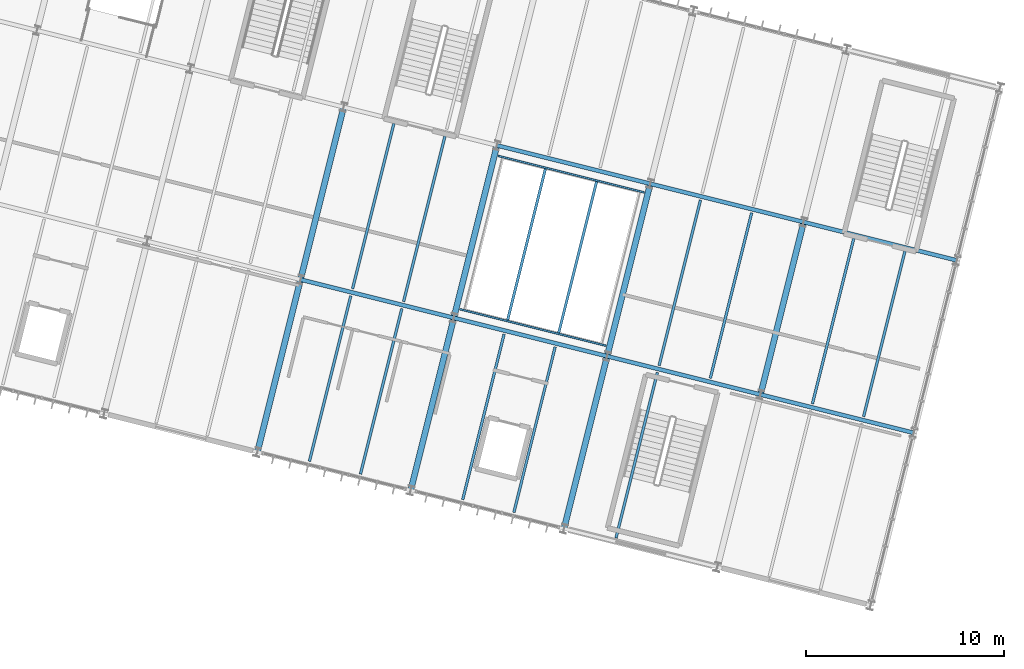
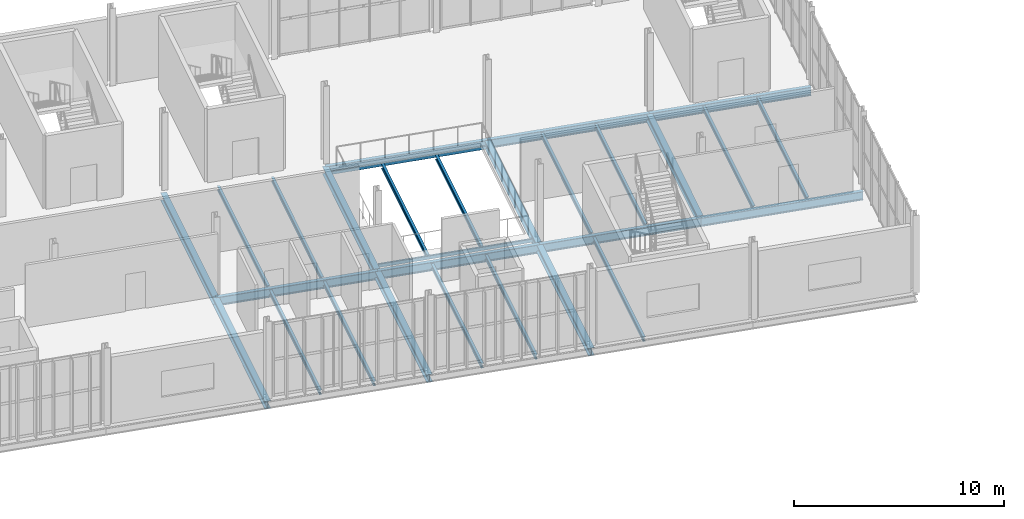
# One storey, part 97 of 152: 29 beams.
"""IFC4 building model written with IfcOpenShell, lengths in metres."""

from ifc_helpers import new_model, si_unit, derived_unit, direction, frame, origin, origin_2d, place, context, subcontext, project, spatial, hollow_rectangle, i_section, extrude, material, material_profile, profile_set, type_object, element, save


model = new_model("IFC4")

# Units and contexts
model_context = context("Model", 3, precision=1e-05, world=origin(), true_north=direction((0.0, 1.0)))
body_context = subcontext(model_context, "Body", "Model", "MODEL_VIEW")
ifc_project = project(units=[si_unit("LENGTHUNIT", "METRE"), si_unit("AREAUNIT", "SQUARE_METRE"), si_unit("VOLUMEUNIT", "CUBIC_METRE"), si_unit("PLANEANGLEUNIT", "RADIAN"), si_unit("MASSUNIT", "GRAM", prefix="KILO"), si_unit("THERMODYNAMICTEMPERATUREUNIT", "KELVIN"), si_unit("TIMEUNIT", "SECOND"), derived_unit("THERMALTRANSMITTANCEUNIT", [(si_unit("MASSUNIT", "GRAM", prefix="KILO"), 1), (si_unit("THERMODYNAMICTEMPERATUREUNIT", "KELVIN"), -1), (si_unit("TIMEUNIT", "SECOND"), -3)])], contexts=[model_context])

# Site, building, storey
site_placement = place(None, origin())
site = spatial("IfcSite", under=ifc_project, at=site_placement, CompositionType="ELEMENT")
building_placement = place(site_placement, origin())
building = spatial("IfcBuilding", under=site, at=building_placement, Name="Cambertide Market Hall", CompositionType="ELEMENT")
storey_placement = place(building_placement, frame((0.0, 0.0, 5.39990234375)))
storey = spatial("IfcBuildingStorey", under=building, at=storey_placement, Name="L02", CompositionType="ELEMENT", Elevation=5.39990234375)

# Beams
ifc_material_1 = material(Name="Steel S355", Category="steel")
ifc_material_profile_1 = material_profile(ifc_material_1, i_section(OverallWidth=0.300048828125, OverallDepth=0.449951171875, WebThickness=0.013916015625, FlangeThickness=0.02587890625, FilletRadius=0.027099609375, at=origin_2d()), Name="HEB 450")
ifc_profile_set_1 = profile_set([ifc_material_profile_1], Name="Steel S355")
beam_type_1 = type_object("IfcBeamType", Name="Steel Girder HEB 450", PredefinedType="BEAM", material=ifc_profile_set_1)
for number, where, z_axis, x_axis, name in (
    (1, (139.044677734375, 92.23876953125, -0.489990234375), (0.242510094215, 0.970148882494, 0.0), (-0.970148882494, 0.242510094215, 0.0), "Level 2 Beam BM-V4V-L02-5-1"),
    (2, (141.227294921875, 100.97021484375, -0.489990234375), (0.242542007841, 0.970140904422, 0.0), (-0.970140904422, 0.242542007841, 0.0), "Level 2 Beam BM-V4V-L02-5-2"),
    (3, (146.8056640625, 90.298583984375, -0.489990234375), (0.242542007841, 0.970140904422, 0.0), (-0.970140904422, 0.242542007841, 0.0), "Level 2 Beam BM-V4V-L02-6-1"),
):
    element("IfcBeam", number, at=place(storey_placement, frame(where, z_axis=z_axis, x_axis=x_axis)), inside=storey, type_object=beam_type_1, Name=name, PredefinedType="BEAM", context=body_context, shape_type="SweptSolid", body=[
        extrude(i_section(OverallWidth=0.300048828125, OverallDepth=0.449951171875, WebThickness=0.013916015625, FlangeThickness=0.02587890625, FilletRadius=0.027099609375, at=origin_2d()), origin(), (0.0, 0.0, 1.0), 9.0),
    ])
beam_1_placement = place(storey_placement, frame((148.988525390625, 99.02978515625, -0.489990234375), z_axis=(0.242535625036, 0.970142500145, 0.0), x_axis=(-0.970142500145, 0.242535625036, 0.0)))
element("IfcBeam", 4, at=beam_1_placement, inside=storey, type_object=beam_type_1, Name="Level 2 Beam BM-V4V-L02-6-2", PredefinedType="BEAM", context=body_context, shape_type="SweptSolid", body=[
    extrude(i_section(OverallWidth=0.300048828125, OverallDepth=0.449951171875, WebThickness=0.013916015625, FlangeThickness=0.02587890625, FilletRadius=0.027099609375, at=origin_2d()), origin(), (0.0, 0.0, 1.0), 9.000244140625),
])
beam_2_placement = place(storey_placement, frame((154.56689453125, 88.3583984375, -0.489990234375), z_axis=(0.242542007841, 0.970140904422, 0.0), x_axis=(-0.970140904422, 0.242542007841, 0.0)))
element("IfcBeam", 5, at=beam_2_placement, inside=storey, type_object=beam_type_1, Name="Level 2 Beam BM-V4V-L02-7-1", PredefinedType="BEAM", context=body_context, shape_type="SweptSolid", body=[
    extrude(i_section(OverallWidth=0.300048828125, OverallDepth=0.449951171875, WebThickness=0.013916015625, FlangeThickness=0.02587890625, FilletRadius=0.027099609375, at=origin_2d()), origin(), (0.0, 0.0, 1.0), 9.0),
])
beam_3_placement = place(storey_placement, frame((156.749755859375, 97.089599609375, -0.489990234375), z_axis=(0.242516476432, 0.970147287096, 0.0), x_axis=(-0.970147287096, 0.242516476432, 0.0)))
element("IfcBeam", 6, at=beam_3_placement, inside=storey, type_object=beam_type_1, Name="Level 2 Beam BM-V4V-L02-7-2", PredefinedType="BEAM", context=body_context, shape_type="SweptSolid", body=[
    extrude(i_section(OverallWidth=0.300048828125, OverallDepth=0.449951171875, WebThickness=0.013916015625, FlangeThickness=0.02587890625, FilletRadius=0.027099609375, at=origin_2d()), origin(), (0.0, 0.0, 1.0), 8.999755859375),
])
beam_4_placement = place(storey_placement, frame((164.5107421875, 95.149169921875, -0.489990234375), z_axis=(0.242535625036, 0.970142500145, 0.0), x_axis=(-0.970142500145, 0.242535625036, 0.0)))
element("IfcBeam", 7, at=beam_4_placement, inside=storey, type_object=beam_type_1, Name="Level 2 Beam BM-V4V-L02-8-2", PredefinedType="BEAM", context=body_context, shape_type="SweptSolid", body=[
    extrude(i_section(OverallWidth=0.300048828125, OverallDepth=0.449951171875, WebThickness=0.013916015625, FlangeThickness=0.02587890625, FilletRadius=0.027099609375, at=origin_2d()), origin(), (0.0, 0.0, 1.0), 9.000244140625),
])
ifc_material_2 = material(Name="Steel S355", Category="steel")
ifc_material_profile_2 = material_profile(ifc_material_2, i_section(OverallWidth=0.199951171875, OverallDepth=0.5, WebThickness=0.01025390625, FlangeThickness=0.01611328125, FilletRadius=0.02099609375, at=origin_2d()), Name="IPE 500")
ifc_profile_set_2 = profile_set([ifc_material_profile_2], Name="Steel S355")
beam_type_2 = type_object("IfcBeamType", Name="Steel Girder IPE 500", PredefinedType="BEAM", material=ifc_profile_set_2)
beam_5_placement = place(storey_placement, frame((141.227294921875, 100.97021484375, -0.514892578125), z_axis=(0.970138909791, -0.242549986002, 0.0), x_axis=(0.242549986002, 0.970138909791, 0.0)))
element("IfcBeam", 8, at=beam_5_placement, inside=storey, type_object=beam_type_2, Name="Level 2 Beam BM-V4U-L02-5-2", PredefinedType="BEAM", context=body_context, shape_type="SweptSolid", body=[
    extrude(i_section(OverallWidth=0.199951171875, OverallDepth=0.5, WebThickness=0.01025390625, FlangeThickness=0.01611328125, FilletRadius=0.02099609375, at=origin_2d()), origin(), (0.0, 0.0, 1.0), 8.000244140625),
])
for number, where, z_axis, x_axis, name in (
    (9, (148.988525390625, 99.02978515625, -0.514892578125), (0.970146090314, -0.242521263911, 0.0), (0.242521263911, 0.970146090314, 0.0), "Level 2 Beam BM-V4U-L02-6-2"),
    (10, (151.17138671875, 107.76123046875, -0.514892578125), (0.970137114374, -0.242557167103, 0.0), (0.242557167103, 0.970137114374, 0.0), "Level 2 Beam BM-V4U-L02-6-3"),
    (11, (156.749755859375, 97.089599609375, -0.514892578125), (0.970137114374, -0.242557167103, 0.0), (0.242557167103, 0.970137114374, 0.0), "Level 2 Beam BM-V4U-L02-7-2"),
    (12, (158.932373046875, 105.82080078125, -0.514892578125), (0.970146090314, -0.242521263911, 0.0), (0.242521263911, 0.970146090314, 0.0), "Level 2 Beam BM-V4U-L02-7-3"),
    (13, (164.5107421875, 95.149169921875, -0.514892578125), (0.970146090314, -0.242521263911, 0.0), (0.242521263911, 0.970146090314, 0.0), "Level 2 Beam BM-V4U-L02-8-2"),
):
    element("IfcBeam", number, at=place(storey_placement, frame(where, z_axis=z_axis, x_axis=x_axis)), inside=storey, type_object=beam_type_2, Name=name, PredefinedType="BEAM", context=body_context, shape_type="SweptSolid", body=[
        extrude(i_section(OverallWidth=0.199951171875, OverallDepth=0.5, WebThickness=0.01025390625, FlangeThickness=0.01611328125, FilletRadius=0.02099609375, at=origin_2d()), origin(), (0.0, 0.0, 1.0), 8.0),
    ])
beam_6_placement = place(storey_placement, frame((166.693603515625, 103.880615234375, -0.514892578125), z_axis=(0.970138909791, -0.242549986002, 0.0), x_axis=(0.242549986002, 0.970138909791, 0.0)))
element("IfcBeam", 14, at=beam_6_placement, inside=storey, type_object=beam_type_2, Name="Level 2 Beam BM-V4U-L02-8-3", PredefinedType="BEAM", context=body_context, shape_type="SweptSolid", body=[
    extrude(i_section(OverallWidth=0.199951171875, OverallDepth=0.5, WebThickness=0.01025390625, FlangeThickness=0.01611328125, FilletRadius=0.02099609375, at=origin_2d()), origin(), (0.0, 0.0, 1.0), 8.000244140625),
])
ifc_material_3 = material(Name="Steel S275", Category="steel")
ifc_material_profile_3 = material_profile(ifc_material_3, i_section(OverallWidth=0.135009765625, OverallDepth=0.27001953125, WebThickness=0.006591796875, FlangeThickness=0.01025390625, FilletRadius=0.014892578125, at=origin_2d()), Name="IPE 270")
ifc_profile_set_3 = profile_set([ifc_material_profile_3], Name="Steel S275")
beam_type_3 = type_object("IfcBeamType", Name="Steel Secondary Joist IPE 270", PredefinedType="JOIST", material=ifc_profile_set_3)
beam_7_placement = place(storey_placement, frame((141.67529296875, 91.766845703125, -0.39990234375), z_axis=(0.242535625036, 0.970142500145, 0.0), x_axis=(-0.970142500145, 0.242535625036, 0.0)))
element("IfcBeam", 15, at=beam_7_placement, inside=storey, type_object=beam_type_3, Name="Level 2 Joist JS-V4-L02-5-1-1", PredefinedType="JOIST", context=body_context, shape_type="SweptSolid", body=[
    extrude(i_section(OverallWidth=0.135009765625, OverallDepth=0.27001953125, WebThickness=0.006591796875, FlangeThickness=0.01025390625, FilletRadius=0.014892578125, at=origin_2d()), origin(), (0.0, 0.0, 1.0), 8.639892578125),
])
for number, where, z_axis, x_axis, name in (
    (16, (144.26220703125, 91.119873046875, -0.39990234375), (0.242555570896, 0.970137513463, 0.0), (-0.970137513463, 0.242555570896, 0.0), "Level 2 Joist JS-V4-L02-5-1-2"),
    (17, (143.858154296875, 100.498046875, -0.39990234375), (0.242528976348, 0.970144162293, 0.0), (-0.970144162293, 0.242528976348, 0.0), "Level 2 Joist JS-V4-L02-5-2-1"),
):
    element("IfcBeam", number, at=place(storey_placement, frame(where, z_axis=z_axis, x_axis=x_axis)), inside=storey, type_object=beam_type_3, Name=name, PredefinedType="JOIST", context=body_context, shape_type="SweptSolid", body=[
        extrude(i_section(OverallWidth=0.135009765625, OverallDepth=0.27001953125, WebThickness=0.006591796875, FlangeThickness=0.01025390625, FilletRadius=0.014892578125, at=origin_2d()), origin(), (0.0, 0.0, 1.0), 8.64013671875),
    ])
beam_8_placement = place(storey_placement, frame((146.445068359375, 99.851318359375, -0.39990234375), z_axis=(0.242535625036, 0.970142500145, 0.0), x_axis=(-0.970142500145, 0.242535625036, 0.0)))
element("IfcBeam", 18, at=beam_8_placement, inside=storey, type_object=beam_type_3, Name="Level 2 Joist JS-V4-L02-5-2-2", PredefinedType="JOIST", context=body_context, shape_type="SweptSolid", body=[
    extrude(i_section(OverallWidth=0.135009765625, OverallDepth=0.27001953125, WebThickness=0.006591796875, FlangeThickness=0.01025390625, FilletRadius=0.014892578125, at=origin_2d()), origin(), (0.0, 0.0, 1.0), 8.639892578125),
])
for number, where, z_axis, x_axis, name in (
    (19, (149.4365234375, 89.826416015625, -0.39990234375), (0.242528976348, 0.970144162293, 0.0), (-0.970144162293, 0.242528976348, 0.0), "Level 2 Joist JS-V4-L02-6-1-1"),
    (20, (152.0234375, 89.1796875, -0.39990234375), (0.242528976348, 0.970144162293, 0.0), (-0.970144162293, 0.242528976348, 0.0), "Level 2 Joist JS-V4-L02-6-1-2"),
):
    element("IfcBeam", number, at=place(storey_placement, frame(where, z_axis=z_axis, x_axis=x_axis)), inside=storey, type_object=beam_type_3, Name=name, PredefinedType="JOIST", context=body_context, shape_type="SweptSolid", body=[
        extrude(i_section(OverallWidth=0.135009765625, OverallDepth=0.27001953125, WebThickness=0.006591796875, FlangeThickness=0.01025390625, FilletRadius=0.014892578125, at=origin_2d()), origin(), (0.0, 0.0, 1.0), 8.64013671875),
    ])
beam_9_placement = place(storey_placement, frame((151.710205078125, 98.921630859375, -0.39990234375), z_axis=(0.242535625036, 0.970142500145, 0.0), x_axis=(-0.970142500145, 0.242535625036, 0.0)))
element("IfcBeam", 21, at=beam_9_placement, inside=storey, type_object=beam_type_3, Name="Level 2 Joist JS-V4-L02-6-2-1", PredefinedType="JOIST", context=body_context, shape_type="SweptSolid", body=[
    extrude(i_section(OverallWidth=0.135009765625, OverallDepth=0.27001953125, WebThickness=0.006591796875, FlangeThickness=0.01025390625, FilletRadius=0.014892578125, at=origin_2d()), origin(), (0.0, 0.0, 1.0), 7.889892578125),
])
beam_10_placement = place(storey_placement, frame((154.297119140625, 98.274658203125, -0.39990234375), z_axis=(0.242557466668, 0.970137039476, 0.0), x_axis=(-0.970137039476, 0.242557466668, 0.0)))
element("IfcBeam", 22, at=beam_10_placement, inside=storey, type_object=beam_type_3, Name="Level 2 Joist JS-V4-L02-6-2-2", PredefinedType="JOIST", context=body_context, shape_type="SweptSolid", body=[
    extrude(i_section(OverallWidth=0.135009765625, OverallDepth=0.27001953125, WebThickness=0.006591796875, FlangeThickness=0.01025390625, FilletRadius=0.014892578125, at=origin_2d()), origin(), (0.0, 0.0, 1.0), 7.89013671875),
])
beam_11_placement = place(storey_placement, frame((157.197509765625, 87.88623046875, -0.39990234375), z_axis=(0.242535625036, 0.970142500145, 0.0), x_axis=(-0.970142500145, 0.242535625036, 0.0)))
element("IfcBeam", 23, at=beam_11_placement, inside=storey, type_object=beam_type_3, Name="Level 2 Joist JS-V4-L02-7-1-1", PredefinedType="JOIST", context=body_context, shape_type="SweptSolid", body=[
    extrude(i_section(OverallWidth=0.135009765625, OverallDepth=0.27001953125, WebThickness=0.006591796875, FlangeThickness=0.01025390625, FilletRadius=0.014892578125, at=origin_2d()), origin(), (0.0, 0.0, 1.0), 8.639892578125),
])
for number, where, z_axis, x_axis, name in (
    (24, (159.38037109375, 96.617431640625, -0.39990234375), (0.242528976348, 0.970144162293, 0.0), (-0.970144162293, 0.242528976348, 0.0), "Level 2 Joist JS-V4-L02-7-2-1"),
    (25, (161.967529296875, 95.970703125, -0.39990234375), (0.242528976348, 0.970144162293, 0.0), (-0.970144162293, 0.242528976348, 0.0), "Level 2 Joist JS-V4-L02-7-2-2"),
):
    element("IfcBeam", number, at=place(storey_placement, frame(where, z_axis=z_axis, x_axis=x_axis)), inside=storey, type_object=beam_type_3, Name=name, PredefinedType="JOIST", context=body_context, shape_type="SweptSolid", body=[
        extrude(i_section(OverallWidth=0.135009765625, OverallDepth=0.27001953125, WebThickness=0.006591796875, FlangeThickness=0.01025390625, FilletRadius=0.014892578125, at=origin_2d()), origin(), (0.0, 0.0, 1.0), 8.64013671875),
    ])
beam_12_placement = place(storey_placement, frame((167.1416015625, 94.67724609375, -0.39990234375), z_axis=(0.242535625036, 0.970142500145, 0.0), x_axis=(-0.970142500145, 0.242535625036, 0.0)))
element("IfcBeam", 26, at=beam_12_placement, inside=storey, type_object=beam_type_3, Name="Level 2 Joist JS-V4-L02-8-2-1", PredefinedType="JOIST", context=body_context, shape_type="SweptSolid", body=[
    extrude(i_section(OverallWidth=0.135009765625, OverallDepth=0.27001953125, WebThickness=0.006591796875, FlangeThickness=0.01025390625, FilletRadius=0.014892578125, at=origin_2d()), origin(), (0.0, 0.0, 1.0), 8.639892578125),
])
beam_13_placement = place(storey_placement, frame((169.728515625, 94.0302734375, -0.39990234375), z_axis=(0.242528976348, 0.970144162293, 0.0), x_axis=(-0.970144162293, 0.242528976348, 0.0)))
element("IfcBeam", 27, at=beam_13_placement, inside=storey, type_object=beam_type_3, Name="Level 2 Joist JS-V4-L02-8-2-2", PredefinedType="JOIST", context=body_context, shape_type="SweptSolid", body=[
    extrude(i_section(OverallWidth=0.135009765625, OverallDepth=0.27001953125, WebThickness=0.006591796875, FlangeThickness=0.01025390625, FilletRadius=0.014892578125, at=origin_2d()), origin(), (0.0, 0.0, 1.0), 8.64013671875),
])
ifc_material_4 = material(Name="Steel S275", Category="steel")
ifc_material_profile_4 = material_profile(ifc_material_4, hollow_rectangle(XDim=0.10009765625, YDim=0.179931640625, WallThickness=0.00634765625, InnerFilletRadius=0.00634765625, OuterFilletRadius=0.0126953125, at=origin_2d()), Name="RHS 180x100x6.3")
ifc_profile_set_4 = profile_set([ifc_material_profile_4], Name="Steel S275")
beam_type_4 = type_object("IfcBeamType", Name="Steel Secondary Joist RHS 180x100x6.3", PredefinedType="JOIST", material=ifc_profile_set_4)
beam_14_placement = place(storey_placement, frame((151.224609375, 107.232421875, -0.35498046875), z_axis=(0.970140620374, -0.242543143998, 0.0), x_axis=(0.242543143998, 0.970140620374, 0.0)))
element("IfcBeam", 28, at=beam_14_placement, inside=storey, type_object=beam_type_4, Name="Level 2 Joist TRIM-V4-ATR-2", PredefinedType="JOIST", context=body_context, shape_type="SweptSolid", body=[
    extrude(hollow_rectangle(XDim=0.10009765625, YDim=0.179931640625, WallThickness=0.00634765625, InnerFilletRadius=0.00634765625, OuterFilletRadius=0.0126953125, at=origin_2d()), origin(), (0.0, 0.0, 1.0), 7.639892578125),
])
ifc_material_5 = material(Name="Steel S275", Category="steel")
ifc_material_profile_5 = material_profile(ifc_material_5, hollow_rectangle(XDim=0.10009765625, YDim=0.199951171875, WallThickness=0.00634765625, InnerFilletRadius=0.00634765625, OuterFilletRadius=0.0126953125, at=origin_2d()), Name="RHS 200x100x6.3")
ifc_profile_set_5 = profile_set([ifc_material_profile_5], Name="Steel S275")
beam_type_5 = type_object("IfcBeamType", Name="Steel Secondary Joist RHS 200x100x6.3", PredefinedType="JOIST", material=ifc_profile_set_5)
beam_15_placement = place(storey_placement, frame((149.284423828125, 99.47119140625, -0.364990234375), z_axis=(0.970148139154, -0.242513067889, 0.0), x_axis=(0.242513067889, 0.970148139154, 0.0)))
element("IfcBeam", 29, at=beam_15_placement, inside=storey, type_object=beam_type_5, Name="Level 2 Joist TRIM-V4-ATR-1", PredefinedType="JOIST", context=body_context, shape_type="SweptSolid", body=[
    extrude(hollow_rectangle(XDim=0.10009765625, YDim=0.199951171875, WallThickness=0.00634765625, InnerFilletRadius=0.00634765625, OuterFilletRadius=0.0126953125, at=origin_2d()), origin(), (0.0, 0.0, 1.0), 7.639892578125),
])

save(model, "model.ifc")
